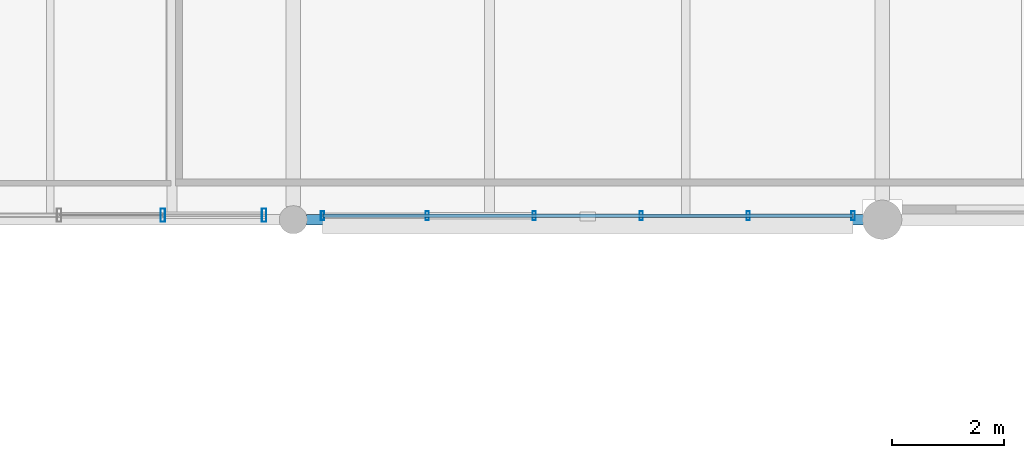
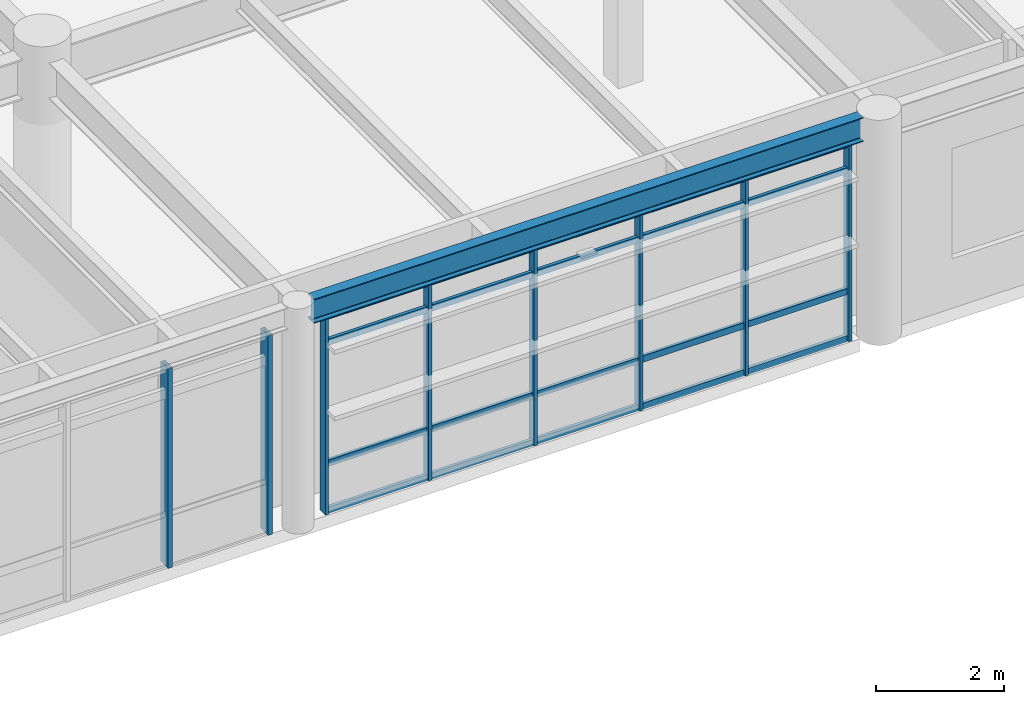
# One storey, part 112 of 168: 12 members, 1 beam, 2 elements without a shape of their own.
"""IFC4 building model written with IfcOpenShell, lengths in metres."""

import ifcopenshell
import ifcopenshell.guid

model = None  # the IFC model being written
_history = None  # IfcOwnerHistory: only IFC2X3 demands one
_inside = {}  # id of a spatial element -> (the spatial element, [elements in it])
_under = {}  # id of a project, library or spatial element -> (it, [spatial elements below it])
_declared = {}  # id of a project -> (the project, [libraries it declares])
_typed = {}  # id of a type object -> (the type object, [elements of that type])
_made_of = {}  # id of a material, layer set ... -> (it, [elements and type objects made of it])


def new_model(schema):
    """Start an empty IFC model of exactly this schema.

    Asked for "IFC4X3", IfcOpenShell would pick the latest addendum, in which some entities
    have other attributes; the version numbers below select the first issue.
    IFC2X3 requires an IfcOwnerHistory on every rooted entity: one is made here for all.
    """
    global model, _history
    if schema == "IFC4X3":
        model = ifcopenshell.file(schema_version=(4, 3, 0, 0))
    else:
        model = ifcopenshell.file(schema=schema)
    _inside.clear()
    _under.clear()
    _declared.clear()
    _typed.clear()
    _made_of.clear()
    _history = None
    if model.schema == "IFC2X3":
        org = make("IfcOrganization", Name="unknown")
        user = make(
            "IfcPersonAndOrganization",
            ThePerson=make("IfcPerson", FamilyName="unknown"),
            TheOrganization=org,
        )
        app = make(
            "IfcApplication",
            ApplicationDeveloper=org,
            Version="unknown",
            ApplicationFullName="unknown",
            ApplicationIdentifier="unknown",
        )
        _history = make(
            "IfcOwnerHistory",
            OwningUser=user,
            OwningApplication=app,
            ChangeAction="ADDED",
            CreationDate=0,
        )
    return model


def make(cls, **values):
    """One entity of the class cls with the attributes given. An attribute that is None is left unset."""
    return model.create_entity(
        cls, **{name: value for name, value in values.items() if value is not None}
    )


def rooted(cls, **values):
    """An entity with a GlobalId (a new one), such as an element, a storey or a relation."""
    return make(cls, GlobalId=ifcopenshell.guid.new(), OwnerHistory=_history, **values)


def si_unit(unit_type, name, prefix=None):
    """IfcSIUnit, for example si_unit("LENGTHUNIT", "METRE", prefix="MILLI")."""
    return make("IfcSIUnit", UnitType=unit_type, Prefix=prefix, Name=name)


def assignment(units):
    """IfcUnitAssignment: the units of a project."""
    return None if units is None else make("IfcUnitAssignment", Units=units)


def point(xyz):
    """IfcCartesianPoint."""
    return None if xyz is None else make("IfcCartesianPoint", Coordinates=xyz)


def direction(xyz):
    """IfcDirection."""
    return None if xyz is None else make("IfcDirection", DirectionRatios=xyz)


def frame(location, z_axis=None, x_axis=None):
    """IfcAxis2Placement3D, a coordinate frame: its origin and axes. An axis left out is left unset."""
    return make(
        "IfcAxis2Placement3D",
        Location=point(location),
        Axis=direction(z_axis),
        RefDirection=direction(x_axis),
    )


def frame_2d(location, x_axis=None):
    """IfcAxis2Placement2D, a coordinate frame in the plane: its origin and x axis."""
    return make(
        "IfcAxis2Placement2D", Location=point(location), RefDirection=direction(x_axis)
    )


def origin():
    """The frame at (0, 0, 0) with its axes left unset."""
    return frame((0.0, 0.0, 0.0))


def origin_2d():
    """The frame at (0, 0) in the plane with its x axis left unset."""
    return frame_2d((0.0, 0.0))


def place(relative_to, where):
    """IfcLocalPlacement: puts the frame where relative to a parent placement (None: the world)."""
    return make(
        "IfcLocalPlacement", PlacementRelTo=relative_to, RelativePlacement=where
    )


def context(
    kind, dimensions, precision=None, world=None, true_north=None, identifier=None
):
    """IfcGeometricRepresentationContext, for example the 3D "Model" context."""
    return make(
        "IfcGeometricRepresentationContext",
        ContextIdentifier=identifier,
        ContextType=kind,
        CoordinateSpaceDimension=dimensions,
        Precision=precision,
        WorldCoordinateSystem=world,
        TrueNorth=true_north,
    )


def subcontext(parent, identifier, kind, view, scale=None):
    """IfcGeometricRepresentationSubContext, for example "Body" below "Model"."""
    return make(
        "IfcGeometricRepresentationSubContext",
        ContextIdentifier=identifier,
        ContextType=kind,
        ParentContext=parent,
        TargetScale=scale,
        TargetView=view,
    )


def project(units=None, contexts=None):
    """IfcProject with its units and contexts."""
    return rooted(
        "IfcProject",
        Name="project",
        RepresentationContexts=contexts,
        UnitsInContext=assignment(units),
    )


def spatial(cls, under=None, at=None, **own):
    """A site, building, storey or space (cls), placed at a placement, below another one or the project."""
    s = rooted(cls, ObjectPlacement=at, **own)
    if under is not None:
        _under.setdefault(under.id(), (under, []))[1].append(s)
    return s


def profile(cls, at=None, kind="AREA", **sizes):
    """A parametric profile (cls). Its sizes go by their IFC names, for example OverallWidth=200.0."""
    return make(cls, ProfileType=kind, Position=at, **sizes)


def hollow_rectangle(**sizes):
    """IfcRectangleHollowProfileDef."""
    return profile("IfcRectangleHollowProfileDef", **sizes)


def i_section(**sizes):
    """IfcIShapeProfileDef."""
    return profile("IfcIShapeProfileDef", **sizes)


def extrude(swept, where, along, depth):
    """IfcExtrudedAreaSolid: the profile swept, set in the frame where, extruded along a direction by depth."""
    return make(
        "IfcExtrudedAreaSolid",
        SweptArea=swept,
        Position=where,
        ExtrudedDirection=direction(along),
        Depth=depth,
    )


def shape(context_of_items, identifier, shape_type, items):
    """IfcShapeRepresentation: the items that make up one representation, for example the "Body"."""
    return make(
        "IfcShapeRepresentation",
        ContextOfItems=context_of_items,
        RepresentationIdentifier=identifier,
        RepresentationType=shape_type,
        Items=items,
    )


def material(Name=None, Category=None):
    """IfcMaterial."""
    return make("IfcMaterial", Name=Name, Category=Category)


def material_profile(
    of_material, cross_section, Name=None, Category=None, Priority=None
):
    """IfcMaterialProfile: a cross section and its material."""
    return make(
        "IfcMaterialProfile",
        Name=Name,
        Material=of_material,
        Profile=cross_section,
        Priority=Priority,
        Category=Category,
    )


def profile_set(profiles, Name=None, composite=None):
    """IfcMaterialProfileSet."""
    return make(
        "IfcMaterialProfileSet",
        Name=Name,
        MaterialProfiles=profiles,
        CompositeProfile=composite,
    )


def made_of(thing, what):
    """Note that an element or type object is made of a material, layer set ...; save() writes the relation."""
    if what is not None:
        _made_of.setdefault(what.id(), (what, []))[1].append(thing)
    return thing


def type_object(cls, material=None, **own):
    """A type object (cls), such as IfcWallType, which elements share."""
    return made_of(rooted(cls, **own), material)


def element(
    cls,
    number,
    at=None,
    inside=None,
    cuts=None,
    type_object=None,
    material=None,
    context=None,
    identifier="Body",
    shape_type=None,
    held_by="IfcProductDefinitionShape",
    body=None,
    shapes=None,
    **own,
):
    """One element of the class cls, such as IfcWall. Its Tag is "e" and its number.

    at: its placement. inside: the storey or other place that contains it. cuts: it is an
    opening in that element (IfcRelVoidsElement). A single representation is given by context,
    identifier, shape_type and body (its items); several are given by shapes. held_by: the class
    of the entity that holds the representations. save() writes the other relations.
    """
    e = rooted(cls, Tag="e%d" % number, ObjectPlacement=at, **own)
    if body is not None:
        shapes = [shape(context, identifier, shape_type, body)]
    if shapes is not None:
        e.Representation = make(held_by, Representations=shapes)
    if inside is not None:
        _inside.setdefault(inside.id(), (inside, []))[1].append(e)
    if cuts is not None:
        rooted(
            "IfcRelVoidsElement", RelatingBuildingElement=cuts, RelatedOpeningElement=e
        )
    if type_object is not None:
        _typed.setdefault(type_object.id(), (type_object, []))[1].append(e)
    return made_of(e, material)


def aggregate(whole, parts):
    """IfcRelAggregates: a whole, such as a stair, and the parts it consists of."""
    return rooted("IfcRelAggregates", RelatingObject=whole, RelatedObjects=parts)


def save(model, path):
    """Write the relations noted so far, then the file.

    IfcRelAggregates (storeys below a building ...), IfcRelContainedInSpatialStructure (elements
    in a storey), IfcRelDefinesByType, IfcRelAssociatesMaterial and IfcRelDeclares: one each for
    every whole, place, type object, material and project.
    """
    for whole, parts in _under.values():
        aggregate(whole, parts)
    for where, things in _inside.values():
        rooted(
            "IfcRelContainedInSpatialStructure",
            RelatedElements=things,
            RelatingStructure=where,
        )
    for kind, things in _typed.values():
        rooted("IfcRelDefinesByType", RelatedObjects=things, RelatingType=kind)
    for what, things in _made_of.values():
        rooted("IfcRelAssociatesMaterial", RelatedObjects=things, RelatingMaterial=what)
    for by, libraries in _declared.values():
        rooted("IfcRelDeclares", RelatingContext=by, RelatedDefinitions=libraries)
    model.write(path)


model = new_model("IFC4")

# Units and contexts
model_context = context("Model", 3, precision=1e-05, world=origin(), true_north=direction((0.0, 1.0)))
body_context = subcontext(model_context, "Body", "Model", "MODEL_VIEW")
ifc_project = project(units=[si_unit("LENGTHUNIT", "METRE"), si_unit("AREAUNIT", "SQUARE_METRE"), si_unit("VOLUMEUNIT", "CUBIC_METRE"), si_unit("PLANEANGLEUNIT", "RADIAN"), si_unit("MASSUNIT", "GRAM", prefix="KILO"), si_unit("THERMODYNAMICTEMPERATUREUNIT", "KELVIN"), si_unit("POWERUNIT", "WATT")], contexts=[model_context])

# Site, building, storey
site_placement = place(None, origin())
site = spatial("IfcSite", under=ifc_project, at=site_placement, CompositionType="ELEMENT")
building_placement = place(site_placement, origin())
building = spatial("IfcBuilding", under=site, at=building_placement, Name="Tepalcoro Natatorium and Aquatics Centre", CompositionType="ELEMENT")
storey_placement = place(building_placement, frame((0.0, 0.0, 10.199951171875)))
storey = spatial("IfcBuildingStorey", under=building, at=storey_placement, Name="L02", CompositionType="ELEMENT", Elevation=10.199951171875)

# Curtain wall, members
ifc_material_1 = material(Name="Bronze-Anodised Extruded Aluminium Alloy EN AW-6063 T6", Category="aluminium")
curtain_wall_type_1 = type_object("IfcCurtainWallType", Name="CW_V5_UPPER", PredefinedType="USERDEFINED", material=ifc_material_1)
curtain_wall_1_placement = place(storey_placement, origin())
curtain_wall_1 = element("IfcCurtainWall", 1, at=curtain_wall_1_placement, inside=storey, type_object=curtain_wall_type_1, Name="V5 L02 S Unitised Curtain Wall Bay 5", ObjectType="FACETED SOLAR GLAZING", PredefinedType="USERDEFINED")
ifc_material_profile_1 = material_profile(ifc_material_1, hollow_rectangle(XDim=0.06005859375, YDim=0.159912109375, WallThickness=0.00390625, at=origin_2d()), Name="AL60X160X4")
ifc_profile_set_1 = profile_set([ifc_material_profile_1], Name="Bronze-Anodised Extruded Aluminium Alloy EN AW-6063 T6")
member_type_1 = type_object("IfcMemberType", Name="CW_MUL_60x160", PredefinedType="MULLION", material=ifc_profile_set_1)
member_1_placement = place(storey_placement, frame((132.02001953125, 86.0712890625, 0.02001953125), z_axis=(0.0, 0.0, 1.0), x_axis=(1.0, 0.0, 0.0)))
member_1 = element("IfcMember", 2, at=member_1_placement, type_object=member_type_1, Name="CW_V5_UPPER Curtain Wall Mullion", PredefinedType="MULLION", context=body_context, shape_type="SweptSolid", body=[
    extrude(hollow_rectangle(XDim=0.06005859375, YDim=0.159912109375, WallThickness=0.00390625, at=origin_2d()), origin(), (0.0, 0.0, 1.0), 3.77001953125),
])
member_2_placement = place(storey_placement, frame((133.887939453125, 86.0712890625, 0.02001953125), z_axis=(0.0, 0.0, 1.0), x_axis=(1.0, 0.0, 0.0)))
member_2 = element("IfcMember", 3, at=member_2_placement, type_object=member_type_1, Name="CW_V5_UPPER Curtain Wall Mullion", PredefinedType="MULLION", context=body_context, shape_type="SweptSolid", body=[
    extrude(hollow_rectangle(XDim=0.06005859375, YDim=0.159912109375, WallThickness=0.00390625, at=origin_2d()), origin(), (0.0, 0.0, 1.0), 3.77001953125),
])
member_3_placement = place(storey_placement, frame((135.7958984375, 86.0712890625, 0.02001953125), z_axis=(0.0, 0.0, 1.0), x_axis=(1.0, 0.0, 0.0)))
member_3 = element("IfcMember", 4, at=member_3_placement, type_object=member_type_1, Name="CW_V5_UPPER Curtain Wall Mullion", PredefinedType="MULLION", context=body_context, shape_type="SweptSolid", body=[
    extrude(hollow_rectangle(XDim=0.06005859375, YDim=0.159912109375, WallThickness=0.00390625, at=origin_2d()), origin(), (0.0, 0.0, 1.0), 3.77001953125),
])
member_4_placement = place(storey_placement, frame((137.7041015625, 86.0712890625, 0.02001953125), z_axis=(0.0, 0.0, 1.0), x_axis=(1.0, 0.0, 0.0)))
member_4 = element("IfcMember", 5, at=member_4_placement, type_object=member_type_1, Name="CW_V5_UPPER Curtain Wall Mullion", PredefinedType="MULLION", context=body_context, shape_type="SweptSolid", body=[
    extrude(hollow_rectangle(XDim=0.06005859375, YDim=0.159912109375, WallThickness=0.00390625, at=origin_2d()), origin(), (0.0, 0.0, 1.0), 3.77001953125),
])
member_5_placement = place(storey_placement, frame((139.612060546875, 86.0712890625, 0.02001953125), z_axis=(0.0, 0.0, 1.0), x_axis=(1.0, 0.0, 0.0)))
member_5 = element("IfcMember", 6, at=member_5_placement, type_object=member_type_1, Name="CW_V5_UPPER Curtain Wall Mullion", PredefinedType="MULLION", context=body_context, shape_type="SweptSolid", body=[
    extrude(hollow_rectangle(XDim=0.06005859375, YDim=0.159912109375, WallThickness=0.00390625, at=origin_2d()), origin(), (0.0, 0.0, 1.0), 3.77001953125),
])
member_6_placement = place(storey_placement, frame((141.47998046875, 86.0712890625, 0.02001953125), z_axis=(0.0, 0.0, 1.0), x_axis=(1.0, 0.0, 0.0)))
member_6 = element("IfcMember", 7, at=member_6_placement, type_object=member_type_1, Name="CW_V5_UPPER Curtain Wall Mullion", PredefinedType="MULLION", context=body_context, shape_type="SweptSolid", body=[
    extrude(hollow_rectangle(XDim=0.06005859375, YDim=0.159912109375, WallThickness=0.00390625, at=origin_2d()), origin(), (0.0, 0.0, 1.0), 3.77001953125),
])

curtain_wall_type_2 = type_object("IfcCurtainWallType", Name="CW_V5_LOWER", PredefinedType="USERDEFINED", material=ifc_material_1)
curtain_wall_2_placement = place(storey_placement, origin())
curtain_wall_2 = element("IfcCurtainWall", 8, at=curtain_wall_2_placement, inside=storey, type_object=curtain_wall_type_2, Name="V5 L02 S Unitised Curtain Wall Bay 4", ObjectType="UNITISED STOREFRONT", PredefinedType="USERDEFINED")
ifc_material_profile_2 = material_profile(ifc_material_1, hollow_rectangle(XDim=0.080078125, YDim=0.239990234375, WallThickness=0.0048828125, at=origin_2d()), Name="AL80X240X5")
ifc_profile_set_2 = profile_set([ifc_material_profile_2], Name="Bronze-Anodised Extruded Aluminium Alloy EN AW-6063 T6")
member_type_2 = type_object("IfcMemberType", Name="CW_MUL_80x240", PredefinedType="MULLION", material=ifc_profile_set_2)
member_7_placement = place(storey_placement, frame((129.17333984375, 86.080078125, 0.02001953125), z_axis=(0.0, 0.0, 1.0), x_axis=(1.0, 0.0, 0.0)))
member_7 = element("IfcMember", 9, at=member_7_placement, type_object=member_type_2, Name="CW_V5_LOWER Curtain Wall Mullion", PredefinedType="MULLION", context=body_context, shape_type="SweptSolid", body=[
    extrude(hollow_rectangle(XDim=0.080078125, YDim=0.239990234375, WallThickness=0.0048828125, at=origin_2d()), origin(), (0.0, 0.0, 1.0), 3.817138671875),
])
member_8_placement = place(storey_placement, frame((130.97998046875, 86.080078125, 0.02001953125), z_axis=(0.0, 0.0, 1.0), x_axis=(1.0, 0.0, 0.0)))
member_8 = element("IfcMember", 10, at=member_8_placement, type_object=member_type_2, Name="CW_V5_LOWER Curtain Wall Mullion", PredefinedType="MULLION", context=body_context, shape_type="SweptSolid", body=[
    extrude(hollow_rectangle(XDim=0.080078125, YDim=0.239990234375, WallThickness=0.0048828125, at=origin_2d()), origin(), (0.0, 0.0, 1.0), 3.817138671875),
])
aggregate(curtain_wall_2, [member_7, member_8])

# Member
ifc_material_profile_3 = material_profile(ifc_material_1, hollow_rectangle(XDim=0.06005859375, YDim=0.1201171875, WallThickness=0.00390625, at=origin_2d()), Name="AL60X120X4")
ifc_profile_set_3 = profile_set([ifc_material_profile_3], Name="Bronze-Anodised Extruded Aluminium Alloy EN AW-6063 T6")
member_type_3 = type_object("IfcMemberType", Name="CW_TRN_60x120", PredefinedType="USERDEFINED", material=ifc_profile_set_3)
member_9_placement = place(storey_placement, frame((132.030029296875, 86.0712890625, 0.050048828125), z_axis=(1.0, 0.0, 0.0), x_axis=(0.0, 1.0, 0.0)))
member_9 = element("IfcMember", 11, at=member_9_placement, type_object=member_type_3, Name="CW_V5_UPPER Curtain Wall Transom", ObjectType="TRANSOM", PredefinedType="USERDEFINED", context=body_context, shape_type="SweptSolid", body=[
    extrude(hollow_rectangle(XDim=0.06005859375, YDim=0.1201171875, WallThickness=0.00390625, at=origin_2d()), origin(), (0.0, 0.0, 1.0), 9.43994140625),
])

member_10_placement = place(storey_placement, frame((132.030029296875, 86.0712890625, 0.949951171875), z_axis=(1.0, 0.0, 0.0), x_axis=(0.0, 1.0, 0.0)))
member_10 = element("IfcMember", 12, at=member_10_placement, type_object=member_type_3, Name="CW_V5_UPPER Curtain Wall Transom", ObjectType="TRANSOM", PredefinedType="USERDEFINED", context=body_context, shape_type="SweptSolid", body=[
    extrude(hollow_rectangle(XDim=0.06005859375, YDim=0.1201171875, WallThickness=0.00390625, at=origin_2d()), origin(), (0.0, 0.0, 1.0), 9.43994140625),
])

member_11_placement = place(storey_placement, frame((132.030029296875, 86.0712890625, 3.260009765625), z_axis=(1.0, 0.0, 0.0), x_axis=(0.0, 1.0, 0.0)))
member_11 = element("IfcMember", 13, at=member_11_placement, type_object=member_type_3, Name="CW_V5_UPPER Curtain Wall Transom", ObjectType="TRANSOM", PredefinedType="USERDEFINED", context=body_context, shape_type="SweptSolid", body=[
    extrude(hollow_rectangle(XDim=0.06005859375, YDim=0.1201171875, WallThickness=0.00390625, at=origin_2d()), origin(), (0.0, 0.0, 1.0), 9.43994140625),
])

member_12_placement = place(storey_placement, frame((132.030029296875, 86.0712890625, 3.760009765625), z_axis=(1.0, 0.0, 0.0), x_axis=(0.0, 1.0, 0.0)))
member_12 = element("IfcMember", 14, at=member_12_placement, type_object=member_type_3, Name="CW_V5_UPPER Curtain Wall Transom", ObjectType="TRANSOM", PredefinedType="USERDEFINED", context=body_context, shape_type="SweptSolid", body=[
    extrude(hollow_rectangle(XDim=0.06005859375, YDim=0.1201171875, WallThickness=0.00390625, at=origin_2d()), origin(), (0.0, 0.0, 1.0), 9.43994140625),
])

aggregate(curtain_wall_1, [member_1, member_2, member_3, member_4, member_5, member_6, member_9, member_10, member_11, member_12])

# Beam
ifc_material_2 = material(Name="Steel ASTM A992 Grade 50 (Fy 345 MPa)", Category="steel")
ifc_material_profile_4 = material_profile(ifc_material_2, i_section(OverallWidth=0.19091796875, OverallDepth=0.4599609375, WebThickness=0.010009765625, FlangeThickness=0.01611328125, FilletRadius=0.013916015625, at=origin_2d()), Name="W18X55")
ifc_profile_set_4 = profile_set([ifc_material_profile_4], Name="Steel ASTM A992 Grade 50 (Fy 345 MPa)")
beam_type = type_object("IfcBeamType", Name="SP_W18x55", PredefinedType="SPANDREL", material=ifc_profile_set_4)
beam_placement = place(storey_placement, frame((131.735107421875, 86.0, 4.054931640625), z_axis=(1.0, 0.0, 0.0), x_axis=(0.0, 1.0, 0.0)))
element("IfcBeam", 15, at=beam_placement, inside=storey, type_object=beam_type, Name="V5 L02 Grid Girder X", PredefinedType="SPANDREL", context=body_context, shape_type="SweptSolid", body=[
    extrude(i_section(OverallWidth=0.19091796875, OverallDepth=0.4599609375, WebThickness=0.010009765625, FlangeThickness=0.01611328125, FilletRadius=0.013916015625, at=origin_2d()), origin(), (0.0, 0.0, 1.0), 9.929931640625),
])

save(model, "model.ifc")
